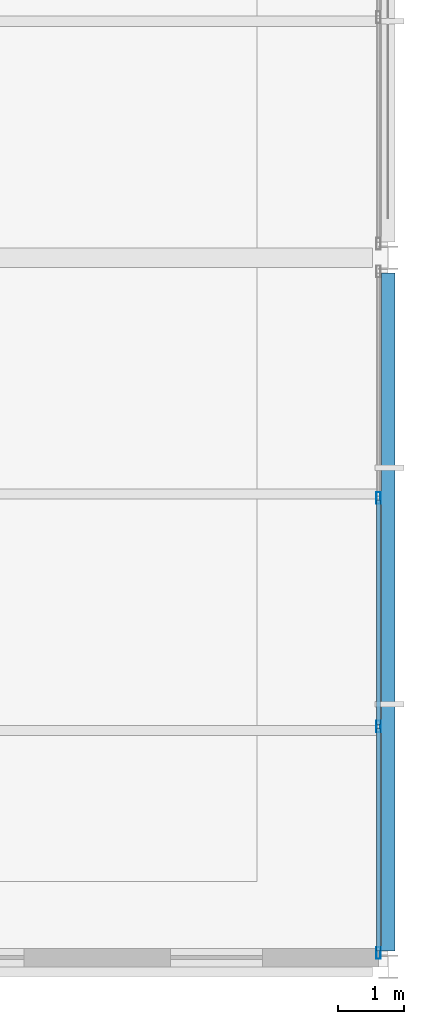
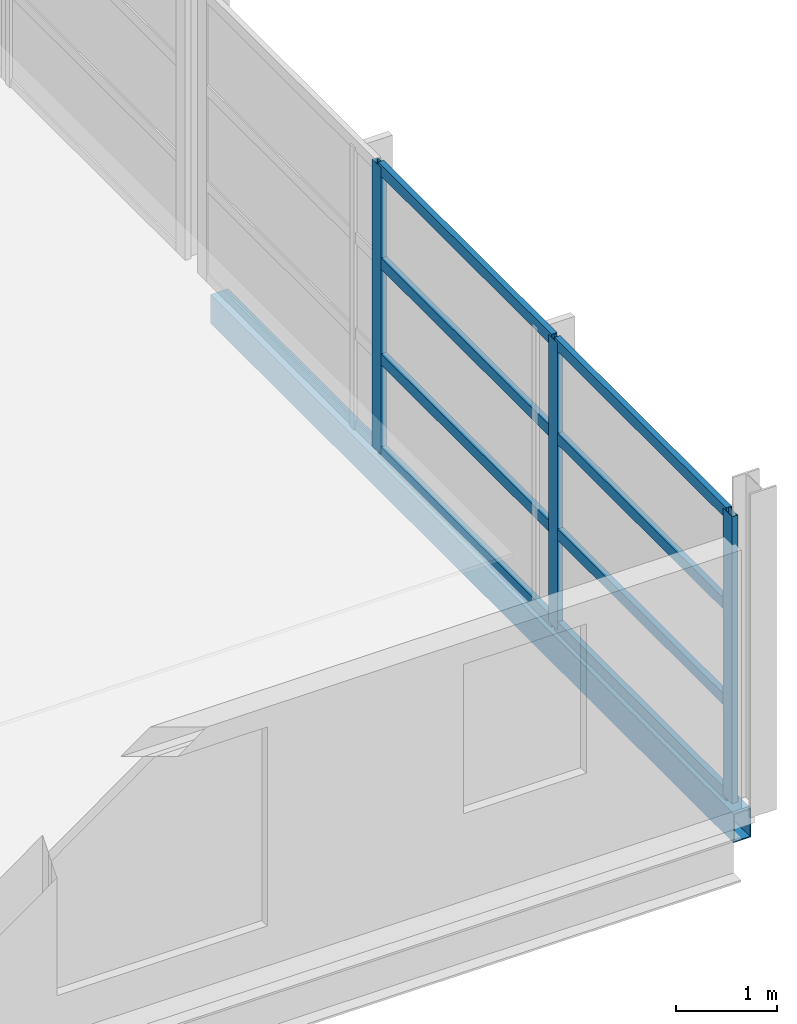
# One storey, part 10 of 33: 11 members, 1 beam, 1 element without a shape of its own.
"""IFC4 building model written with IfcOpenShell, lengths in metres."""

from ifc_helpers import new_model, si_unit, direction, frame, origin, origin_2d, place, context, subcontext, project, spatial, hollow_rectangle, extrude, material, layer, layer_set, material_profile, profile_set, type_object, element, aggregate, save


model = new_model("IFC4")

# Units and contexts
model_context = context("Model", 3, precision=1e-05, world=origin(), true_north=direction((0.0, 1.0)))
body_context = subcontext(model_context, "Body", "Model", "MODEL_VIEW")
ifc_project = project(units=[si_unit("LENGTHUNIT", "METRE"), si_unit("AREAUNIT", "SQUARE_METRE"), si_unit("VOLUMEUNIT", "CUBIC_METRE"), si_unit("PLANEANGLEUNIT", "RADIAN"), si_unit("MASSUNIT", "GRAM", prefix="KILO")], contexts=[model_context])

# Site, building, storey
site_placement = place(None, origin())
site = spatial("IfcSite", under=ifc_project, at=site_placement, CompositionType="ELEMENT")
building_placement = place(site_placement, origin())
building = spatial("IfcBuilding", under=site, at=building_placement, Name="Tamarisk Ironworks Central Station", CompositionType="ELEMENT")
storey_placement = place(building_placement, frame((0.0, 0.0, 21.300048828125)))
storey = spatial("IfcBuildingStorey", under=building, at=storey_placement, Name="L04", CompositionType="ELEMENT", Elevation=21.300048828125)

# Beam
ifc_material_1 = material(Name="Structural steel S355J2", Category="steel")
ifc_material_profile_1 = material_profile(ifc_material_1, hollow_rectangle(XDim=0.199951171875, YDim=0.35009765625, WallThickness=0.012451171875, at=origin_2d()), Name="RHS 350x200x12.5")
ifc_profile_set_1 = profile_set([ifc_material_profile_1], Name="Structural steel S355J2")
beam_type = type_object("IfcBeamType", Name="BM-SP01", PredefinedType="SPANDREL", material=ifc_profile_set_1)
beam_placement = place(storey_placement, frame((180.0, 79.43798828125, -0.39501953125), z_axis=(0.0, 1.0, 0.0), x_axis=(-1.0, 0.0, 0.0)))
element("IfcBeam", 1, at=beam_placement, inside=storey, type_object=beam_type, Name="L04 primary girder Y-0746", PredefinedType="SPANDREL", context=body_context, shape_type="SweptSolid", body=[
    extrude(hollow_rectangle(XDim=0.199951171875, YDim=0.35009765625, WallThickness=0.012451171875, at=origin_2d()), origin(), (0.0, 0.0, 1.0), 10.323974609375),
])

# Curtain wall, members
ifc_material_2 = material(Name="Anodized aluminium alloy 6063-T6", Category="aluminium")
ifc_layer = layer(ifc_material_2, 0.179931640625)
ifc_layer_set = layer_set([ifc_layer], Name="Anodized aluminium alloy 6063-T6")
curtain_wall_type = type_object("IfcCurtainWallType", Name="CW-22", PredefinedType="USERDEFINED", material=ifc_layer_set)
curtain_wall_placement = place(storey_placement, origin())
curtain_wall = element("IfcCurtainWall", 2, at=curtain_wall_placement, inside=storey, type_object=curtain_wall_type, Name="Operations L04 east facade curtain wall 079", ObjectType="GLAZED CURTAIN WALL", PredefinedType="USERDEFINED")
ifc_material_profile_2 = material_profile(ifc_material_2, hollow_rectangle(XDim=0.06494140625, YDim=0.179931640625, WallThickness=0.00390625, at=origin_2d()), Name="ALUM 180x65")
ifc_profile_set_2 = profile_set([ifc_material_profile_2], Name="Anodized aluminium alloy 6063-T6")
member_type_1 = type_object("IfcMemberType", Name="CWM-02", PredefinedType="MULLION", material=ifc_profile_set_2)
member_1_placement = place(storey_placement, frame((179.85009765625, 79.410400390625, 0.0), z_axis=(0.0, 0.0, 1.0), x_axis=(-1.0, 0.0, 0.0)))
member_1 = element("IfcMember", 3, at=member_1_placement, type_object=member_type_1, Name="CW22 mullion 1", PredefinedType="MULLION", context=body_context, shape_type="SweptSolid", body=[
    extrude(hollow_rectangle(XDim=0.06494140625, YDim=0.179931640625, WallThickness=0.00390625, at=origin_2d()), origin(), (0.0, 0.0, 1.0), 3.4599609375),
])
member_2_placement = place(storey_placement, frame((179.85009765625, 82.859375, 0.0), z_axis=(0.0, 0.0, 1.0), x_axis=(-1.0, 0.0, 0.0)))
member_2 = element("IfcMember", 4, at=member_2_placement, type_object=member_type_1, Name="CW22 mullion 2", PredefinedType="MULLION", context=body_context, shape_type="SweptSolid", body=[
    extrude(hollow_rectangle(XDim=0.06494140625, YDim=0.179931640625, WallThickness=0.00390625, at=origin_2d()), origin(), (0.0, 0.0, 1.0), 3.4599609375),
])
member_3_placement = place(storey_placement, frame((179.85009765625, 86.340576171875, 0.0), z_axis=(0.0, 0.0, 1.0), x_axis=(-1.0, 0.0, 0.0)))
member_3 = element("IfcMember", 5, at=member_3_placement, type_object=member_type_1, Name="CW22 mullion 3", PredefinedType="MULLION", context=body_context, shape_type="SweptSolid", body=[
    extrude(hollow_rectangle(XDim=0.06494140625, YDim=0.179931640625, WallThickness=0.00390625, at=origin_2d()), origin(), (0.0, 0.0, 1.0), 3.4599609375),
])
ifc_material_profile_3 = material_profile(ifc_material_2, hollow_rectangle(XDim=0.06494140625, YDim=0.135009765625, WallThickness=0.00341796875, at=origin_2d()), Name="ALUM 135x65")
ifc_profile_set_3 = profile_set([ifc_material_profile_3], Name="Anodized aluminium alloy 6063-T6")
member_type_2 = type_object("IfcMemberType", Name="CWT-02", PredefinedType="USERDEFINED", material=ifc_profile_set_3)
member_4_placement = place(storey_placement, frame((179.85009765625, 79.43896484375, 0.032470703125), z_axis=(0.0, 1.0, 0.0), x_axis=(-1.0, 0.0, 0.0)))
member_4 = element("IfcMember", 6, at=member_4_placement, type_object=member_type_2, Name="CW22 transom 1.1", ObjectType="TRANSOM", PredefinedType="USERDEFINED", context=body_context, shape_type="SweptSolid", body=[
    extrude(hollow_rectangle(XDim=0.06494140625, YDim=0.135009765625, WallThickness=0.00341796875, at=origin_2d()), origin(), (0.0, 0.0, 1.0), 3.391845703125),
])
member_5_placement = place(storey_placement, frame((179.85009765625, 79.43896484375, 1.1533203125), z_axis=(0.0, 1.0, 0.0), x_axis=(-1.0, 0.0, 0.0)))
member_5 = element("IfcMember", 7, at=member_5_placement, type_object=member_type_2, Name="CW22 transom 1.2", ObjectType="TRANSOM", PredefinedType="USERDEFINED", context=body_context, shape_type="SweptSolid", body=[
    extrude(hollow_rectangle(XDim=0.06494140625, YDim=0.135009765625, WallThickness=0.00341796875, at=origin_2d()), origin(), (0.0, 0.0, 1.0), 3.391845703125),
])
member_6_placement = place(storey_placement, frame((179.85009765625, 79.43896484375, 2.306640625), z_axis=(0.0, 1.0, 0.0), x_axis=(-1.0, 0.0, 0.0)))
member_6 = element("IfcMember", 8, at=member_6_placement, type_object=member_type_2, Name="CW22 transom 1.3", ObjectType="TRANSOM", PredefinedType="USERDEFINED", context=body_context, shape_type="SweptSolid", body=[
    extrude(hollow_rectangle(XDim=0.06494140625, YDim=0.135009765625, WallThickness=0.00341796875, at=origin_2d()), origin(), (0.0, 0.0, 1.0), 3.391845703125),
])
member_7_placement = place(storey_placement, frame((179.85009765625, 79.43896484375, 3.427490234375), z_axis=(0.0, 1.0, 0.0), x_axis=(-1.0, 0.0, 0.0)))
member_7 = element("IfcMember", 9, at=member_7_placement, type_object=member_type_2, Name="CW22 transom 1.4", ObjectType="TRANSOM", PredefinedType="USERDEFINED", context=body_context, shape_type="SweptSolid", body=[
    extrude(hollow_rectangle(XDim=0.06494140625, YDim=0.135009765625, WallThickness=0.00341796875, at=origin_2d()), origin(), (0.0, 0.0, 1.0), 3.391845703125),
])
member_8_placement = place(storey_placement, frame((179.85009765625, 82.887939453125, 0.032470703125), z_axis=(0.0, 1.0, 0.0), x_axis=(-1.0, 0.0, 0.0)))
member_8 = element("IfcMember", 10, at=member_8_placement, type_object=member_type_2, Name="CW22 transom 2.1", ObjectType="TRANSOM", PredefinedType="USERDEFINED", context=body_context, shape_type="SweptSolid", body=[
    extrude(hollow_rectangle(XDim=0.06494140625, YDim=0.135009765625, WallThickness=0.00341796875, at=origin_2d()), origin(), (0.0, 0.0, 1.0), 3.42431640625),
])
member_9_placement = place(storey_placement, frame((179.85009765625, 82.887939453125, 1.1533203125), z_axis=(0.0, 1.0, 0.0), x_axis=(-1.0, 0.0, 0.0)))
member_9 = element("IfcMember", 11, at=member_9_placement, type_object=member_type_2, Name="CW22 transom 2.2", ObjectType="TRANSOM", PredefinedType="USERDEFINED", context=body_context, shape_type="SweptSolid", body=[
    extrude(hollow_rectangle(XDim=0.06494140625, YDim=0.135009765625, WallThickness=0.00341796875, at=origin_2d()), origin(), (0.0, 0.0, 1.0), 3.42431640625),
])
member_10_placement = place(storey_placement, frame((179.85009765625, 82.887939453125, 2.306640625), z_axis=(0.0, 1.0, 0.0), x_axis=(-1.0, 0.0, 0.0)))
member_10 = element("IfcMember", 12, at=member_10_placement, type_object=member_type_2, Name="CW22 transom 2.3", ObjectType="TRANSOM", PredefinedType="USERDEFINED", context=body_context, shape_type="SweptSolid", body=[
    extrude(hollow_rectangle(XDim=0.06494140625, YDim=0.135009765625, WallThickness=0.00341796875, at=origin_2d()), origin(), (0.0, 0.0, 1.0), 3.42431640625),
])
member_11_placement = place(storey_placement, frame((179.85009765625, 82.887939453125, 3.427490234375), z_axis=(0.0, 1.0, 0.0), x_axis=(-1.0, 0.0, 0.0)))
member_11 = element("IfcMember", 13, at=member_11_placement, type_object=member_type_2, Name="CW22 transom 2.4", ObjectType="TRANSOM", PredefinedType="USERDEFINED", context=body_context, shape_type="SweptSolid", body=[
    extrude(hollow_rectangle(XDim=0.06494140625, YDim=0.135009765625, WallThickness=0.00341796875, at=origin_2d()), origin(), (0.0, 0.0, 1.0), 3.42431640625),
])
aggregate(curtain_wall, [member_1, member_2, member_3, member_4, member_5, member_6, member_7, member_8, member_9, member_10, member_11])

save(model, "model.ifc")
